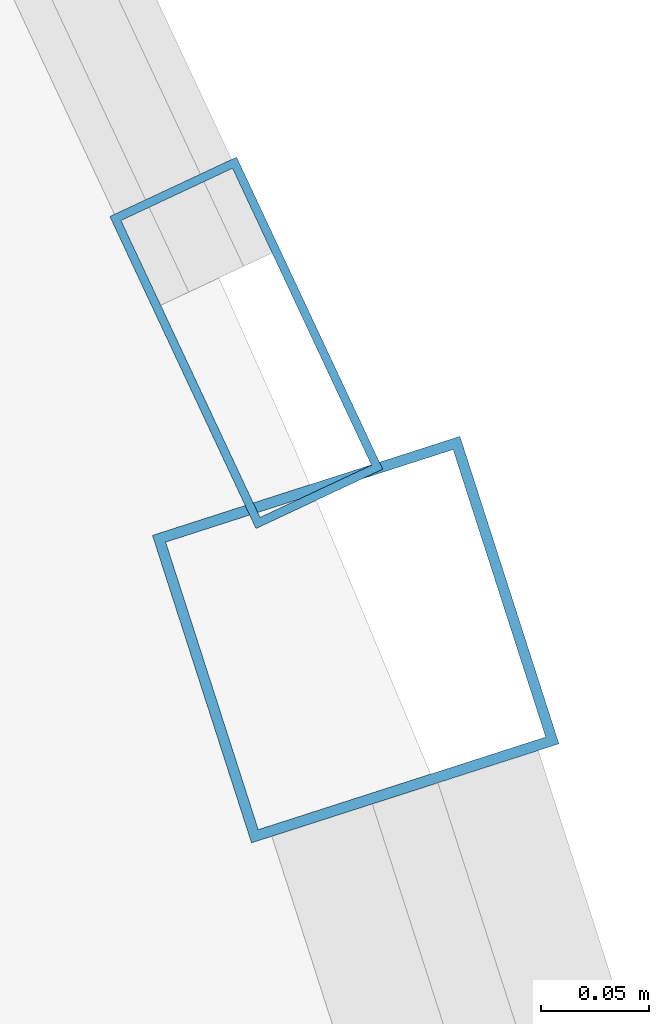
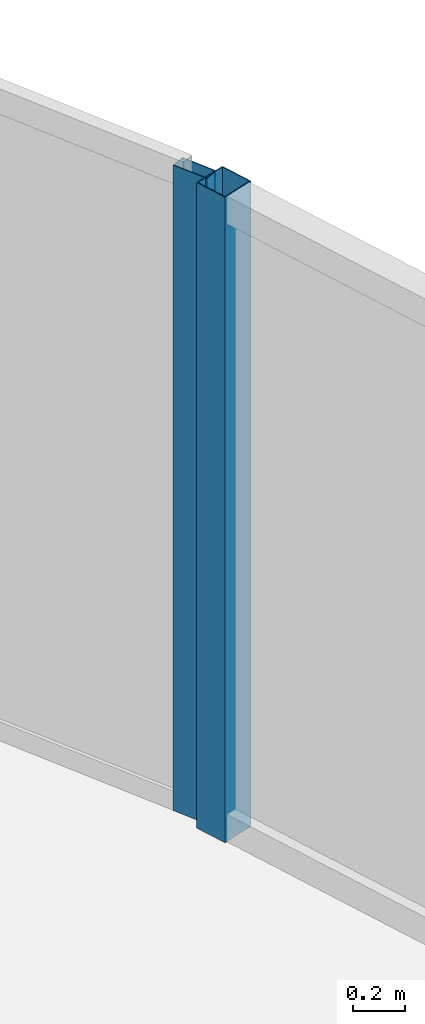
# One storey, part 17 of 32: 2 members, 2 elements without a shape of their own.
"""IFC4 building model written with IfcOpenShell, lengths in metres."""

from ifc_helpers import new_model, si_unit, direction, frame, origin, origin_2d, place, context, subcontext, project, spatial, hollow_rectangle, extrude, material, layer, layer_set, material_profile, profile_set, type_object, element, aggregate, save


model = new_model("IFC4")

# Units and contexts
model_context = context("Model", 3, precision=1e-05, world=origin(), true_north=direction((0.0, 1.0)))
body_context = subcontext(model_context, "Body", "Model", "MODEL_VIEW")
ifc_project = project(units=[si_unit("LENGTHUNIT", "METRE"), si_unit("AREAUNIT", "SQUARE_METRE"), si_unit("VOLUMEUNIT", "CUBIC_METRE"), si_unit("PLANEANGLEUNIT", "RADIAN"), si_unit("MASSUNIT", "GRAM", prefix="KILO")], contexts=[model_context])

# Site, building, storey
site_placement = place(None, origin())
site = spatial("IfcSite", under=ifc_project, at=site_placement, CompositionType="ELEMENT")
building_placement = place(site_placement, origin())
building = spatial("IfcBuilding", under=site, at=building_placement, Name="Orvanel Arch Residences", CompositionType="ELEMENT")
storey_placement = place(building_placement, frame((0.0, 0.0, 216.199951171875)))
storey = spatial("IfcBuildingStorey", under=building, at=storey_placement, Name="L61", CompositionType="ELEMENT", Elevation=216.199951171875)

# Curtain wall, member
ifc_material = material(Name="Bronze-anodised aluminium AA6063-T6", Category="aluminium")
ifc_layer_1 = layer(ifc_material, 0.18994140625)
ifc_layer_set_1 = layer_set([ifc_layer_1], Name="Bronze-anodised aluminium AA6063-T6")
curtain_wall_type_1 = type_object("IfcCurtainWallType", Name="CW5-CRN-SYS", PredefinedType="NOTDEFINED", material=ifc_layer_set_1)
curtain_wall_1_placement = place(storey_placement, origin())
curtain_wall_1 = element("IfcCurtainWall", 1, at=curtain_wall_1_placement, inside=storey, type_object=curtain_wall_type_1, Name="L61 CW5-CRN-SYS Unitised Curtain Wall", PredefinedType="NOTDEFINED")
ifc_material_profile_1 = material_profile(ifc_material, hollow_rectangle(XDim=0.14990234375, YDim=0.14990234375, WallThickness=0.0048828125, at=origin_2d()), Name="ALU150x150x5")
ifc_profile_set_1 = profile_set([ifc_material_profile_1], Name="Bronze-anodised aluminium AA6063-T6")
member_type_1 = type_object("IfcMemberType", Name="MUL-150x150", PredefinedType="MULLION", material=ifc_profile_set_1)
member_1_placement = place(storey_placement, frame((54.0810546875, 15.087646484375, 0.0), z_axis=(0.0, 0.0, 1.0), x_axis=(-0.951837092592, -0.306604222357, 0.0)))
member_1 = element("IfcMember", 2, at=member_1_placement, type_object=member_type_1, Name="CW-S5 mullion 2", PredefinedType="MULLION", context=body_context, shape_type="SweptSolid", body=[
    extrude(hollow_rectangle(XDim=0.14990234375, YDim=0.14990234375, WallThickness=0.0048828125, at=origin_2d()), origin(), (0.0, 0.0, 1.0), 3.06005859375),
])
aggregate(curtain_wall_1, [member_1])

ifc_layer_2 = layer(ifc_material, 0.175048828125)
ifc_layer_set_2 = layer_set([ifc_layer_2], Name="Bronze-anodised aluminium AA6063-T6")
curtain_wall_type_2 = type_object("IfcCurtainWallType", Name="CW4-HI-SYS", PredefinedType="NOTDEFINED", material=ifc_layer_set_2)
curtain_wall_2_placement = place(storey_placement, origin())
curtain_wall_2 = element("IfcCurtainWall", 3, at=curtain_wall_2_placement, inside=storey, type_object=curtain_wall_type_2, Name="L61 CW4-HI-SYS Unitised Curtain Wall", PredefinedType="NOTDEFINED")
ifc_material_profile_2 = material_profile(ifc_material, hollow_rectangle(XDim=0.06494140625, YDim=0.159912109375, WallThickness=0.00390625, at=origin_2d()), Name="ALU160x65x4")
ifc_profile_set_2 = profile_set([ifc_material_profile_2], Name="Bronze-anodised aluminium AA6063-T6")
member_type_2 = type_object("IfcMemberType", Name="MUL-160x65", PredefinedType="MULLION", material=ifc_profile_set_2)
member_2_placement = place(storey_placement, frame((54.0302734375, 15.225341796875, 0.0), z_axis=(0.0, 0.0, 1.0), x_axis=(-0.905611523567, -0.424108203626, 0.0)))
member_2 = element("IfcMember", 4, at=member_2_placement, type_object=member_type_2, Name="CW-S4 mullion 1", PredefinedType="MULLION", context=body_context, shape_type="SweptSolid", body=[
    extrude(hollow_rectangle(XDim=0.06494140625, YDim=0.159912109375, WallThickness=0.00390625, at=origin_2d()), origin(), (0.0, 0.0, 1.0), 3.06005859375),
])
aggregate(curtain_wall_2, [member_2])

save(model, "model.ifc")
